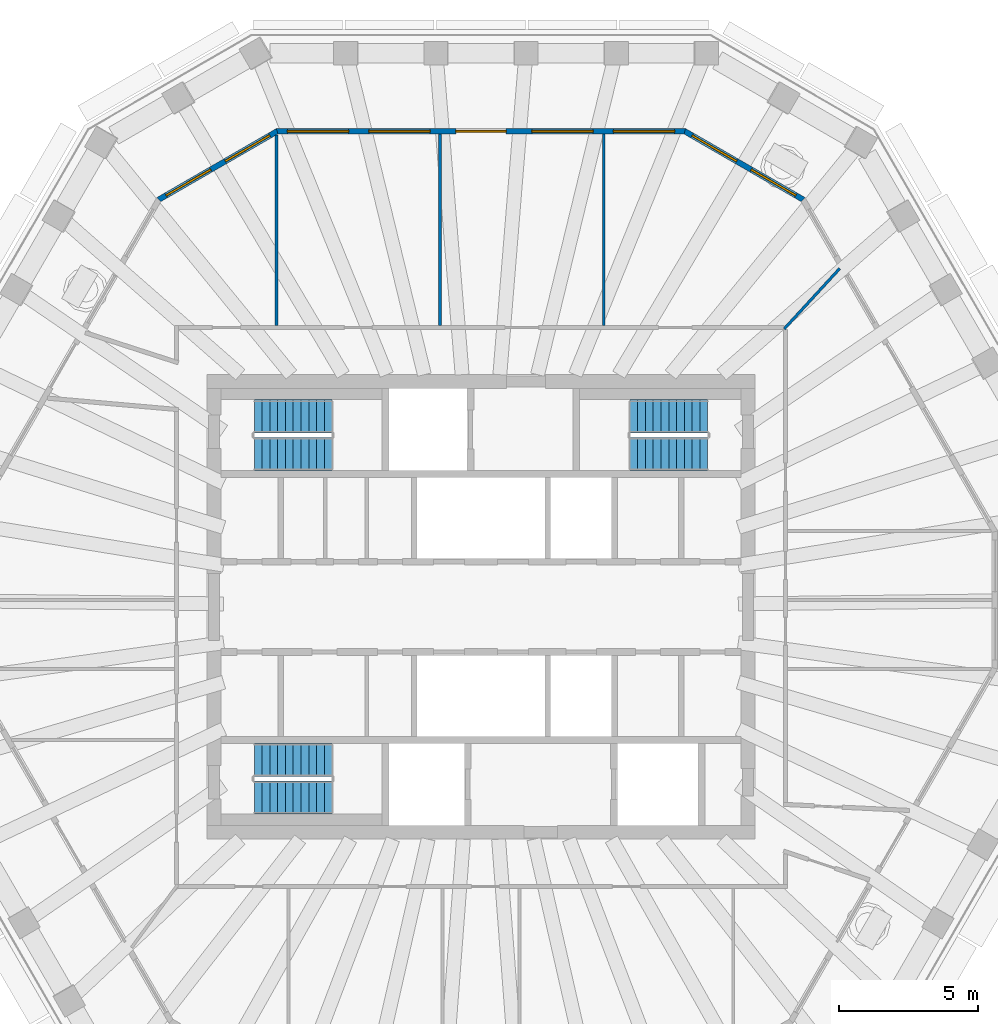
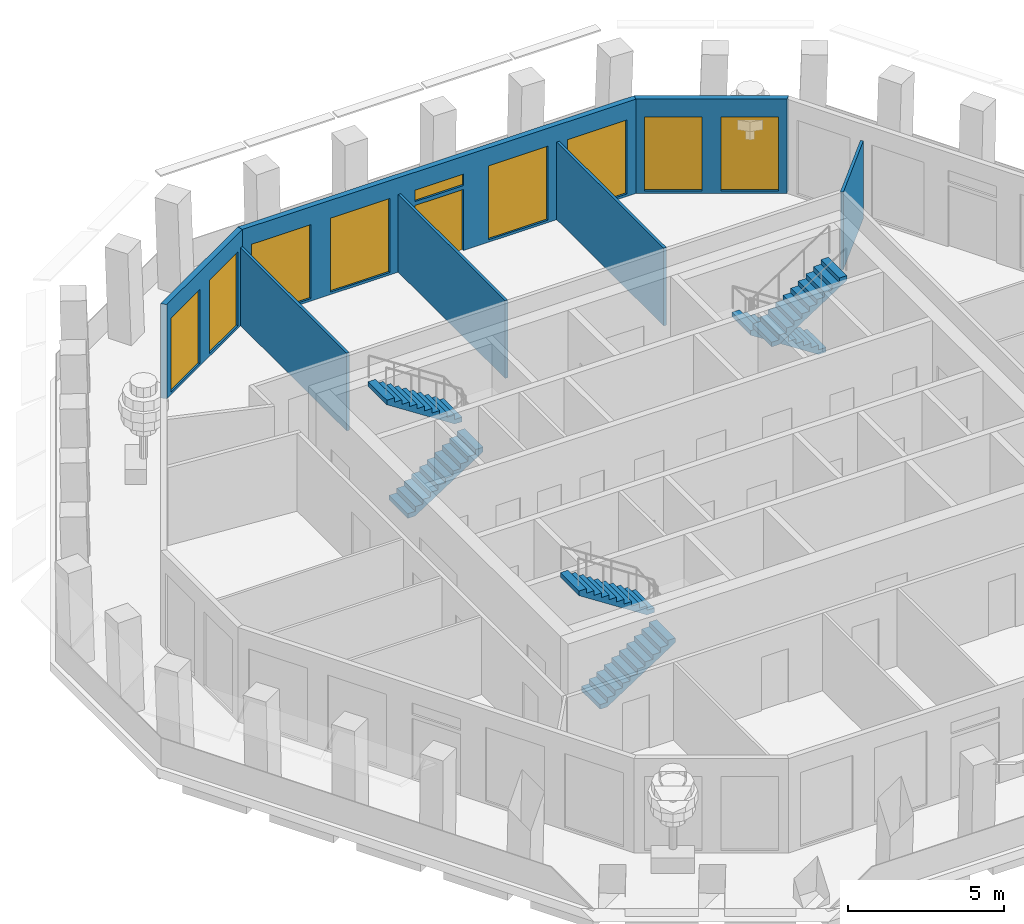
# One storey, part 7 of 11: 9 windows, 7 walls, 6 stair flights, 1 door, 10 openings, 3 elements without a shape of their own.
"""IFC4 building model written with IfcOpenShell, lengths in metres."""

from ifc_helpers import new_model, si_unit, direction, frame, frame_2d, origin, place, context, subcontext, project, spatial, polyline, rectangle, outline, extrude, material, layer, layer_set, type_object, element, fill, aggregate, save


model = new_model("IFC4")

# Units and contexts
model_context = context("Model", 3, precision=1e-05, world=origin(), true_north=direction((0.0, 1.0)))
body_context = subcontext(model_context, "Body", "Model", "MODEL_VIEW")
ifc_project = project(units=[si_unit("LENGTHUNIT", "METRE"), si_unit("AREAUNIT", "SQUARE_METRE"), si_unit("VOLUMEUNIT", "CUBIC_METRE"), si_unit("PLANEANGLEUNIT", "RADIAN"), si_unit("MASSUNIT", "GRAM", prefix="KILO")], contexts=[model_context])

# Site, building, storey
site_placement = place(None, origin())
site = spatial("IfcSite", under=ifc_project, at=site_placement, CompositionType="ELEMENT")
building_placement = place(site_placement, origin())
building = spatial("IfcBuilding", under=site, at=building_placement, Name="Frailejon Research Tower", CompositionType="ELEMENT")
storey_placement = place(building_placement, frame((0.0, 0.0, 316.60009765625)))
storey = spatial("IfcBuildingStorey", under=building, at=storey_placement, Name="L70", CompositionType="ELEMENT", Elevation=316.60009765625)

# Walls
ifc_material_1 = material(Name="Gypsum board and masonry partition", Category="masonry")
ifc_layer_1 = layer(ifc_material_1, 0.10009765625)
ifc_layer_set_1 = layer_set([ifc_layer_1], Name="Partition, gypsum on steel studs 100")
wall_type_1 = type_object("IfcWallType", Name="Partition, gypsum on steel studs 100", PredefinedType="PARTITIONING", material=ifc_layer_set_1)
wall_1_placement = place(storey_placement, frame((10.899169921875, 9.994873046875, 0.0), z_axis=(0.0, 0.0, 1.0), x_axis=(0.676859298263, 0.736112416927, 0.0)))
element("IfcWall", 1, at=wall_1_placement, inside=storey, type_object=wall_type_1, Name="T:IW:L70:014", PredefinedType="PARTITIONING", context=body_context, shape_type="SweptSolid", body=[
    extrude(rectangle(XDim=2.9501953125, YDim=0.10009765625, at=frame_2d((1.47509765625, 0.0))), origin(), (0.0, 0.0, 1.0), 3.0498046875),
])
for number, where, z_axis, x_axis, name in (
    (2, (4.412353515625, 10.125, 0.0), (0.0, 0.0, 1.0), (0.0, 1.0, 0.0), "T:IW:L70:015"),
    (3, (-1.470703125, 10.125, 0.0), (0.0, 0.0, 1.0), (0.0, 1.0, 0.0), "T:IW:L70:016"),
):
    element("IfcWall", number, at=place(storey_placement, frame(where, z_axis=z_axis, x_axis=x_axis)), inside=storey, type_object=wall_type_1, Name=name, PredefinedType="PARTITIONING", context=body_context, shape_type="SweptSolid", body=[
        extrude(rectangle(XDim=6.875, YDim=0.10009765625, at=frame_2d((3.4375, 0.0))), origin(), (0.0, 0.0, 1.0), 3.0498046875),
    ])
wall_2_placement = place(storey_placement, frame((-7.35400390625, 10.125, 0.0), z_axis=(0.0, 0.0, 1.0), x_axis=(0.0, 1.0, 0.0)))
element("IfcWall", 4, at=wall_2_placement, inside=storey, type_object=wall_type_1, Name="T:IW:L70:017", PredefinedType="PARTITIONING", context=body_context, shape_type="SweptSolid", body=[
    extrude(rectangle(XDim=6.843994140625, YDim=0.10009765625, at=frame_2d((3.421875, 0.0))), origin(), (0.0, 0.0, 1.0), 3.0498046875),
])

# Wall, openings, windows
ifc_material_2 = material(Name="Concrete C40/50 precast window wall panel", Category="concrete")
ifc_layer_2 = layer(ifc_material_2, 0.199951171875)
ifc_layer_set_2 = layer_set([ifc_layer_2], Name="Window wall 200")
wall_type_2 = type_object("IfcWallType", Name="Window wall 200", PredefinedType="SOLIDWALL", material=ifc_layer_set_2)
wall_3_placement = place(storey_placement, frame((11.580810546875, 14.644287109375, 0.0), z_axis=(0.0, 0.0, 1.0), x_axis=(-0.86601671623, 0.500015046984, 0.0)))
wall_3 = element("IfcWall", 5, at=wall_3_placement, inside=storey, type_object=wall_type_2, Name="Exterior wall L70", PredefinedType="SOLIDWALL", context=body_context, shape_type="SweptSolid", body=[
    extrude(outline(polyline([(-0.02685546875, -0.10009765625), (1.21435546875, -0.10009765625), (2.45556640625, -0.10009765625), (3.697021484375, -0.10009765625), (4.938232421875, -0.10009765625), (4.884521484375, 0.10009765625), (3.670166015625, 0.10009765625), (2.45556640625, 0.10009765625), (1.2412109375, 0.10009765625), (0.02685546875, 0.10009765625), (-0.02685546875, -0.10009765625)])), origin(), (0.0, 0.0, 1.0), 3.699951171875),
])
opening_1_placement = place(wall_3_placement, frame((0.302978515625, 0.0, 0.10009765625)))
opening_1 = element("IfcOpeningElement", 6, at=opening_1_placement, cuts=wall_3, Name="Opening W26", PredefinedType="OPENING", context=body_context, shape_type="SweptSolid", body=[
    extrude(rectangle(XDim=1.85009765625, YDim=2.89990234375, at=frame_2d((0.925048828125, 1.449951171875))), frame((0.0, 0.10986328125, 0.0), z_axis=(0.0, -1.0, 0.0), x_axis=(1.0, 0.0, 0.0)), (0.0, 0.0, 1.0), 0.219970703125),
])
opening_2_placement = place(wall_3_placement, frame((2.7587890625, 0.0, 0.10009765625)))
opening_2 = element("IfcOpeningElement", 7, at=opening_2_placement, cuts=wall_3, Name="Opening W26", PredefinedType="OPENING", context=body_context, shape_type="SweptSolid", body=[
    extrude(rectangle(XDim=1.85009765625, YDim=2.89990234375, at=frame_2d((0.925048828125, 1.449951171875))), frame((0.0, 0.10986328125, 0.0), z_axis=(0.0, -1.0, 0.0), x_axis=(1.0, 0.0, 0.0)), (0.0, 0.0, 1.0), 0.219970703125),
])
ifc_material_3 = material(Name="Aluminium framed double glazing", Category="aluminium")
window_type_1 = type_object("IfcWindowType", Name="Window 1850x2900", PartitioningType="SINGLE_PANEL", PredefinedType="WINDOW", material=ifc_material_3)
window_1_placement = place(opening_1_placement, origin())
window_1 = element("IfcWindow", 8, at=window_1_placement, inside=storey, type_object=window_type_1, Name="Window L70", OverallHeight=2.89990234375, OverallWidth=1.85009765625, PartitioningType="SINGLE_PANEL", PredefinedType="WINDOW", context=body_context, shape_type="SweptSolid", body=[
    extrude(rectangle(XDim=1.85009765625, YDim=2.89990234375, at=frame_2d((0.925048828125, 1.449951171875))), frame((0.0, 0.030029296875, 0.0), z_axis=(0.0, -1.0, 0.0), x_axis=(1.0, 0.0, 0.0)), (0.0, 0.0, 1.0), 0.06005859375),
])
fill(opening_1, window_1)
window_2_placement = place(opening_2_placement, origin())
window_2 = element("IfcWindow", 9, at=window_2_placement, inside=storey, type_object=window_type_1, Name="Window L70", OverallHeight=2.89990234375, OverallWidth=1.85009765625, PartitioningType="SINGLE_PANEL", PredefinedType="WINDOW", context=body_context, shape_type="SweptSolid", body=[
    extrude(rectangle(XDim=1.85009765625, YDim=2.89990234375, at=frame_2d((0.925048828125, 1.449951171875))), frame((0.0, 0.030029296875, 0.0), z_axis=(0.0, -1.0, 0.0), x_axis=(1.0, 0.0, 0.0)), (0.0, 0.0, 1.0), 0.06005859375),
])
fill(opening_2, window_2)

# Wall, openings, door, windows
wall_4_placement = place(storey_placement, frame((7.327392578125, 17.10009765625, 0.0), z_axis=(0.0, 0.0, 1.0), x_axis=(-1.0, 0.0, 0.0)))
wall_4 = element("IfcWall", 10, at=wall_4_placement, inside=storey, type_object=wall_type_2, Name="Exterior wall L70", PredefinedType="SOLIDWALL", context=body_context, shape_type="SweptSolid", body=[
    extrude(outline(polyline([(-0.02685546875, -0.10009765625), (1.023681640625, -0.10009765625), (2.074462890625, -0.10009765625), (3.125, -0.10009765625), (4.175537109375, -0.10009765625), (5.22607421875, -0.10009765625), (6.27685546875, -0.10009765625), (7.327392578125, -0.10009765625), (8.3779296875, -0.10009765625), (9.4287109375, -0.10009765625), (10.479248046875, -0.10009765625), (11.52978515625, -0.10009765625), (12.580322265625, -0.10009765625), (13.631103515625, -0.10009765625), (14.681640625, -0.10009765625), (14.6279296875, 0.10009765625), (13.5849609375, 0.10009765625), (12.5419921875, 0.10009765625), (11.4990234375, 0.10009765625), (10.456298828125, 0.10009765625), (9.413330078125, 0.10009765625), (8.370361328125, 0.10009765625), (7.327392578125, 0.10009765625), (6.284423828125, 0.10009765625), (5.241455078125, 0.10009765625), (4.198486328125, 0.10009765625), (3.15576171875, 0.10009765625), (2.11279296875, 0.10009765625), (1.06982421875, 0.10009765625), (0.02685546875, 0.10009765625), (-0.02685546875, -0.10009765625)])), origin(), (0.0, 0.0, 1.0), 3.699951171875),
])
opening_3_placement = place(wall_4_placement, frame((0.365478515625, 0.0, 0.10009765625)))
opening_3 = element("IfcOpeningElement", 11, at=opening_3_placement, cuts=wall_4, Name="Opening W28", PredefinedType="OPENING", context=body_context, shape_type="SweptSolid", body=[
    extrude(rectangle(XDim=2.199951171875, YDim=2.89990234375, at=frame_2d((1.10009765625, 1.449951171875))), frame((0.0, 0.10986328125, 0.0), z_axis=(0.0, -1.0, 0.0), x_axis=(1.0, 0.0, 0.0)), (0.0, 0.0, 1.0), 0.219970703125),
])
opening_4_placement = place(wall_4_placement, frame((3.29638671875, 0.0, 0.10009765625)))
opening_4 = element("IfcOpeningElement", 12, at=opening_4_placement, cuts=wall_4, Name="Opening W28", PredefinedType="OPENING", context=body_context, shape_type="SweptSolid", body=[
    extrude(rectangle(XDim=2.199951171875, YDim=2.89990234375, at=frame_2d((1.10009765625, 1.449951171875))), frame((0.0, 0.10986328125, 0.0), z_axis=(0.0, -1.0, 0.0), x_axis=(1.0, 0.0, 0.0)), (0.0, 0.0, 1.0), 0.219970703125),
])
opening_5_placement = place(wall_4_placement, frame((6.42724609375, 0.0, 0.0)))
opening_5 = element("IfcOpeningElement", 13, at=opening_5_placement, cuts=wall_4, Name="Opening LG70-2", PredefinedType="OPENING", context=body_context, shape_type="SweptSolid", body=[
    extrude(rectangle(XDim=1.800048828125, YDim=2.39990234375, at=frame_2d((0.89990234375, 1.199951171875))), frame((0.0, 0.10986328125, 0.0), z_axis=(0.0, -1.0, 0.0), x_axis=(1.0, 0.0, 0.0)), (0.0, 0.0, 1.0), 0.219970703125),
])
opening_6_placement = place(wall_4_placement, frame((6.42724609375, 0.0, 2.550048828125)))
opening_6 = element("IfcOpeningElement", 14, at=opening_6_placement, cuts=wall_4, Name="Opening W1", PredefinedType="OPENING", context=body_context, shape_type="SweptSolid", body=[
    extrude(rectangle(XDim=1.800048828125, YDim=0.449951171875, at=frame_2d((0.89990234375, 0.22509765625))), frame((0.0, 0.10986328125, 0.0), z_axis=(0.0, -1.0, 0.0), x_axis=(1.0, 0.0, 0.0)), (0.0, 0.0, 1.0), 0.219970703125),
])
opening_7_placement = place(wall_4_placement, frame((9.158203125, 0.0, 0.10009765625)))
opening_7 = element("IfcOpeningElement", 15, at=opening_7_placement, cuts=wall_4, Name="Opening W28", PredefinedType="OPENING", context=body_context, shape_type="SweptSolid", body=[
    extrude(rectangle(XDim=2.199951171875, YDim=2.89990234375, at=frame_2d((1.10009765625, 1.449951171875))), frame((0.0, 0.10986328125, 0.0), z_axis=(0.0, -1.0, 0.0), x_axis=(1.0, 0.0, 0.0)), (0.0, 0.0, 1.0), 0.219970703125),
])
opening_8_placement = place(wall_4_placement, frame((12.089111328125, 0.0, 0.10009765625)))
opening_8 = element("IfcOpeningElement", 16, at=opening_8_placement, cuts=wall_4, Name="Opening W28", PredefinedType="OPENING", context=body_context, shape_type="SweptSolid", body=[
    extrude(rectangle(XDim=2.199951171875, YDim=2.89990234375, at=frame_2d((1.10009765625, 1.449951171875))), frame((0.0, 0.10986328125, 0.0), z_axis=(0.0, -1.0, 0.0), x_axis=(1.0, 0.0, 0.0)), (0.0, 0.0, 1.0), 0.219970703125),
])
ifc_material_4 = material(Name="Aluminium framed glazed door leaf", Category="aluminium")
door_type = type_object("IfcDoorType", Name="Loggia door 1800x2400", OperationType="DOUBLE_DOOR_SINGLE_SWING", PredefinedType="DOOR", material=ifc_material_4)
door_placement = place(opening_5_placement, origin())
door = element("IfcDoor", 17, at=door_placement, inside=storey, type_object=door_type, Name="Door LG70-2", OperationType="DOUBLE_DOOR_SINGLE_SWING", OverallHeight=2.39990234375, OverallWidth=1.800048828125, PredefinedType="DOOR", context=body_context, shape_type="SweptSolid", body=[
    extrude(rectangle(XDim=1.800048828125, YDim=2.39990234375, at=frame_2d((0.89990234375, 1.199951171875))), frame((0.0, 0.02490234375, 0.0), z_axis=(0.0, -1.0, 0.0), x_axis=(1.0, 0.0, 0.0)), (0.0, 0.0, 1.0), 0.050048828125),
])
fill(opening_5, door)
ifc_material_5 = material(Name="Aluminium framed double glazing", Category="aluminium")
window_type_2 = type_object("IfcWindowType", Name="Window 1800x450", PartitioningType="SINGLE_PANEL", PredefinedType="WINDOW", material=ifc_material_5)
window_3_placement = place(opening_6_placement, origin())
window_3 = element("IfcWindow", 18, at=window_3_placement, inside=storey, type_object=window_type_2, Name="Window L70", OverallHeight=0.449951171875, OverallWidth=1.800048828125, PartitioningType="SINGLE_PANEL", PredefinedType="WINDOW", context=body_context, shape_type="SweptSolid", body=[
    extrude(rectangle(XDim=1.800048828125, YDim=0.449951171875, at=frame_2d((0.89990234375, 0.22509765625))), frame((0.0, 0.030029296875, 0.0), z_axis=(0.0, -1.0, 0.0), x_axis=(1.0, 0.0, 0.0)), (0.0, 0.0, 1.0), 0.06005859375),
])
fill(opening_6, window_3)
ifc_material_6 = material(Name="Aluminium framed double glazing", Category="aluminium")
window_type_3 = type_object("IfcWindowType", Name="Window 2200x2900", PartitioningType="SINGLE_PANEL", PredefinedType="WINDOW", material=ifc_material_6)
window_4_placement = place(opening_3_placement, origin())
window_4 = element("IfcWindow", 19, at=window_4_placement, inside=storey, type_object=window_type_3, Name="Window L70", OverallHeight=2.89990234375, OverallWidth=2.199951171875, PartitioningType="SINGLE_PANEL", PredefinedType="WINDOW", context=body_context, shape_type="SweptSolid", body=[
    extrude(rectangle(XDim=2.199951171875, YDim=2.89990234375, at=frame_2d((1.10009765625, 1.449951171875))), frame((0.0, 0.030029296875, 0.0), z_axis=(0.0, -1.0, 0.0), x_axis=(1.0, 0.0, 0.0)), (0.0, 0.0, 1.0), 0.06005859375),
])
fill(opening_3, window_4)
window_5_placement = place(opening_4_placement, origin())
window_5 = element("IfcWindow", 20, at=window_5_placement, inside=storey, type_object=window_type_3, Name="Window L70", OverallHeight=2.89990234375, OverallWidth=2.199951171875, PartitioningType="SINGLE_PANEL", PredefinedType="WINDOW", context=body_context, shape_type="SweptSolid", body=[
    extrude(rectangle(XDim=2.199951171875, YDim=2.89990234375, at=frame_2d((1.10009765625, 1.449951171875))), frame((0.0, 0.030029296875, 0.0), z_axis=(0.0, -1.0, 0.0), x_axis=(1.0, 0.0, 0.0)), (0.0, 0.0, 1.0), 0.06005859375),
])
fill(opening_4, window_5)
window_6_placement = place(opening_7_placement, origin())
window_6 = element("IfcWindow", 21, at=window_6_placement, inside=storey, type_object=window_type_3, Name="Window L70", OverallHeight=2.89990234375, OverallWidth=2.199951171875, PartitioningType="SINGLE_PANEL", PredefinedType="WINDOW", context=body_context, shape_type="SweptSolid", body=[
    extrude(rectangle(XDim=2.199951171875, YDim=2.89990234375, at=frame_2d((1.10009765625, 1.449951171875))), frame((0.0, 0.030029296875, 0.0), z_axis=(0.0, -1.0, 0.0), x_axis=(1.0, 0.0, 0.0)), (0.0, 0.0, 1.0), 0.06005859375),
])
fill(opening_7, window_6)
window_7_placement = place(opening_8_placement, origin())
window_7 = element("IfcWindow", 22, at=window_7_placement, inside=storey, type_object=window_type_3, Name="Window L70", OverallHeight=2.89990234375, OverallWidth=2.199951171875, PartitioningType="SINGLE_PANEL", PredefinedType="WINDOW", context=body_context, shape_type="SweptSolid", body=[
    extrude(rectangle(XDim=2.199951171875, YDim=2.89990234375, at=frame_2d((1.10009765625, 1.449951171875))), frame((0.0, 0.030029296875, 0.0), z_axis=(0.0, -1.0, 0.0), x_axis=(1.0, 0.0, 0.0)), (0.0, 0.0, 1.0), 0.06005859375),
])
fill(opening_8, window_7)

# Wall, openings, windows
wall_5_placement = place(storey_placement, frame((-7.327392578125, 17.10009765625, 0.0), z_axis=(0.0, 0.0, 1.0), x_axis=(-0.86601671623, -0.500015046984, 0.0)))
wall_5 = element("IfcWall", 23, at=wall_5_placement, inside=storey, type_object=wall_type_2, Name="Exterior wall L70", PredefinedType="SOLIDWALL", context=body_context, shape_type="SweptSolid", body=[
    extrude(outline(polyline([(-0.02685546875, -0.10009765625), (1.21435546875, -0.10009765625), (2.45556640625, -0.10009765625), (3.697021484375, -0.10009765625), (4.938232421875, -0.10009765625), (4.884521484375, 0.10009765625), (3.670166015625, 0.10009765625), (2.45556640625, 0.10009765625), (1.2412109375, 0.10009765625), (0.02685546875, 0.10009765625), (-0.02685546875, -0.10009765625)])), origin(), (0.0, 0.0, 1.0), 3.699951171875),
])
opening_9_placement = place(wall_5_placement, frame((0.302978515625, 0.0, 0.10009765625)))
opening_9 = element("IfcOpeningElement", 24, at=opening_9_placement, cuts=wall_5, Name="Opening W26", PredefinedType="OPENING", context=body_context, shape_type="SweptSolid", body=[
    extrude(rectangle(XDim=1.85009765625, YDim=2.89990234375, at=frame_2d((0.925048828125, 1.449951171875))), frame((0.0, 0.10986328125, 0.0), z_axis=(0.0, -1.0, 0.0), x_axis=(1.0, 0.0, 0.0)), (0.0, 0.0, 1.0), 0.219970703125),
])
opening_10_placement = place(wall_5_placement, frame((2.7587890625, 0.0, 0.10009765625)))
opening_10 = element("IfcOpeningElement", 25, at=opening_10_placement, cuts=wall_5, Name="Opening W26", PredefinedType="OPENING", context=body_context, shape_type="SweptSolid", body=[
    extrude(rectangle(XDim=1.85009765625, YDim=2.89990234375, at=frame_2d((0.925048828125, 1.449951171875))), frame((0.0, 0.10986328125, 0.0), z_axis=(0.0, -1.0, 0.0), x_axis=(1.0, 0.0, 0.0)), (0.0, 0.0, 1.0), 0.219970703125),
])
window_8_placement = place(opening_9_placement, origin())
window_8 = element("IfcWindow", 26, at=window_8_placement, inside=storey, type_object=window_type_1, Name="Window L70", OverallHeight=2.89990234375, OverallWidth=1.85009765625, PartitioningType="SINGLE_PANEL", PredefinedType="WINDOW", context=body_context, shape_type="SweptSolid", body=[
    extrude(rectangle(XDim=1.85009765625, YDim=2.89990234375, at=frame_2d((0.925048828125, 1.449951171875))), frame((0.0, 0.030029296875, 0.0), z_axis=(0.0, -1.0, 0.0), x_axis=(1.0, 0.0, 0.0)), (0.0, 0.0, 1.0), 0.06005859375),
])
fill(opening_9, window_8)
window_9_placement = place(opening_10_placement, origin())
window_9 = element("IfcWindow", 27, at=window_9_placement, inside=storey, type_object=window_type_1, Name="Window L70", OverallHeight=2.89990234375, OverallWidth=1.85009765625, PartitioningType="SINGLE_PANEL", PredefinedType="WINDOW", context=body_context, shape_type="SweptSolid", body=[
    extrude(rectangle(XDim=1.85009765625, YDim=2.89990234375, at=frame_2d((0.925048828125, 1.449951171875))), frame((0.0, 0.030029296875, 0.0), z_axis=(0.0, -1.0, 0.0), x_axis=(1.0, 0.0, 0.0)), (0.0, 0.0, 1.0), 0.06005859375),
])
fill(opening_10, window_9)

# Stair, stair flights
ifc_material_7 = material(Name="Concrete C50/60", Category="concrete")
stair_type = type_object("IfcStairType", Name="Exit stair 22 risers", PredefinedType="HALF_TURN_STAIR", material=ifc_material_7)
stair_1_placement = place(storey_placement, origin())
stair_1 = element("IfcStair", 28, at=stair_1_placement, inside=storey, type_object=stair_type, Name="L70 Exit stair ST1", PredefinedType="HALF_TURN_STAIR")
ifc_material_8 = material(Name="Concrete C50/60", Category="concrete")
ifc_layer_3 = layer(ifc_material_8, 0.14990234375)
ifc_layer_set_3 = layer_set([ifc_layer_3], Name="Stair flight 11 risers")
stair_flight_type = type_object("IfcStairFlightType", Name="Stair flight 11 risers", PredefinedType="STRAIGHT", material=ifc_layer_set_3)
stair_flight_1_placement = place(storey_placement, frame((-8.14990234375, 5.5, 0.0), z_axis=(0.0, 0.0, 1.0), x_axis=(1.0, 0.0, 0.0)))
stair_flight_1 = element("IfcStairFlight", 29, at=stair_flight_1_placement, type_object=stair_flight_type, Name="ST1 flight 1", NumberOfRisers=11, NumberOfTreads=10, PredefinedType="STRAIGHT", RiserHeight=0.181818182, TreadLength=0.28, context=body_context, shape_type="SweptSolid", body=[
    extrude(outline(polyline([(0.0, 0.0), (0.0, 0.181884765625), (0.280029296875, 0.181884765625), (0.280029296875, 0.363525390625), (0.56005859375, 0.363525390625), (0.56005859375, 0.54541015625), (0.840087890625, 0.54541015625), (0.840087890625, 0.727294921875), (1.1201171875, 0.727294921875), (1.1201171875, 0.9091796875), (1.39990234375, 0.9091796875), (1.39990234375, 1.0908203125), (1.679931640625, 1.0908203125), (1.679931640625, 1.272705078125), (1.9599609375, 1.272705078125), (1.9599609375, 1.45458984375), (2.239990234375, 1.45458984375), (2.239990234375, 1.636474609375), (2.52001953125, 1.636474609375), (2.52001953125, 1.818115234375), (2.800048828125, 1.818115234375), (2.800048828125, 2.0), (2.800048828125, 1.639404296875), (0.275146484375, 0.0), (0.0, 0.0)])), frame((0.0, 0.60009765625, 0.0), z_axis=(0.0, -1.0, 0.0), x_axis=(1.0, 0.0, 0.0)), (0.0, 0.0, 1.0), 1.199951171875),
])
stair_flight_2_placement = place(storey_placement, frame((-5.35009765625, 6.85009765625, 2.0), z_axis=(0.0, 0.0, 1.0), x_axis=(-1.0, 0.0, 0.0)))
stair_flight_2 = element("IfcStairFlight", 30, at=stair_flight_2_placement, type_object=stair_flight_type, Name="ST1 flight 2", NumberOfRisers=11, NumberOfTreads=10, PredefinedType="STRAIGHT", RiserHeight=0.181818182, TreadLength=0.28, context=body_context, shape_type="SweptSolid", body=[
    extrude(outline(polyline([(0.0, 0.0), (0.0, 0.181884765625), (0.280029296875, 0.181884765625), (0.280029296875, 0.363525390625), (0.56005859375, 0.363525390625), (0.56005859375, 0.54541015625), (0.840087890625, 0.54541015625), (0.840087890625, 0.727294921875), (1.1201171875, 0.727294921875), (1.1201171875, 0.9091796875), (1.39990234375, 0.9091796875), (1.39990234375, 1.0908203125), (1.679931640625, 1.0908203125), (1.679931640625, 1.272705078125), (1.9599609375, 1.272705078125), (1.9599609375, 1.45458984375), (2.239990234375, 1.45458984375), (2.239990234375, 1.636474609375), (2.52001953125, 1.636474609375), (2.52001953125, 1.818115234375), (2.800048828125, 1.818115234375), (2.800048828125, 2.0), (2.800048828125, 1.639404296875), (0.275146484375, 0.0), (0.0, 0.0)])), frame((0.0, 0.60009765625, 0.0), z_axis=(0.0, -1.0, 0.0), x_axis=(1.0, 0.0, 0.0)), (0.0, 0.0, 1.0), 1.199951171875),
])
aggregate(stair_1, [stair_flight_1, stair_flight_2])

stair_2_placement = place(storey_placement, origin())
stair_2 = element("IfcStair", 31, at=stair_2_placement, inside=storey, type_object=stair_type, Name="L70 Exit stair ST2", PredefinedType="HALF_TURN_STAIR")
stair_flight_3_placement = place(storey_placement, frame((-8.14990234375, -6.85009765625, 0.0), z_axis=(0.0, 0.0, 1.0), x_axis=(1.0, 0.0, 0.0)))
stair_flight_3 = element("IfcStairFlight", 32, at=stair_flight_3_placement, type_object=stair_flight_type, Name="ST2 flight 1", NumberOfRisers=11, NumberOfTreads=10, PredefinedType="STRAIGHT", RiserHeight=0.181818182, TreadLength=0.28, context=body_context, shape_type="SweptSolid", body=[
    extrude(outline(polyline([(0.0, 0.0), (0.0, 0.181884765625), (0.280029296875, 0.181884765625), (0.280029296875, 0.363525390625), (0.56005859375, 0.363525390625), (0.56005859375, 0.54541015625), (0.840087890625, 0.54541015625), (0.840087890625, 0.727294921875), (1.1201171875, 0.727294921875), (1.1201171875, 0.9091796875), (1.39990234375, 0.9091796875), (1.39990234375, 1.0908203125), (1.679931640625, 1.0908203125), (1.679931640625, 1.272705078125), (1.9599609375, 1.272705078125), (1.9599609375, 1.45458984375), (2.239990234375, 1.45458984375), (2.239990234375, 1.636474609375), (2.52001953125, 1.636474609375), (2.52001953125, 1.818115234375), (2.800048828125, 1.818115234375), (2.800048828125, 2.0), (2.800048828125, 1.639404296875), (0.275146484375, 0.0), (0.0, 0.0)])), frame((0.0, 0.60009765625, 0.0), z_axis=(0.0, -1.0, 0.0), x_axis=(1.0, 0.0, 0.0)), (0.0, 0.0, 1.0), 1.199951171875),
])
stair_flight_4_placement = place(storey_placement, frame((-5.35009765625, -5.5, 2.0), z_axis=(0.0, 0.0, 1.0), x_axis=(-1.0, 0.0, 0.0)))
stair_flight_4 = element("IfcStairFlight", 33, at=stair_flight_4_placement, type_object=stair_flight_type, Name="ST2 flight 2", NumberOfRisers=11, NumberOfTreads=10, PredefinedType="STRAIGHT", RiserHeight=0.181818182, TreadLength=0.28, context=body_context, shape_type="SweptSolid", body=[
    extrude(outline(polyline([(0.0, 0.0), (0.0, 0.181884765625), (0.280029296875, 0.181884765625), (0.280029296875, 0.363525390625), (0.56005859375, 0.363525390625), (0.56005859375, 0.54541015625), (0.840087890625, 0.54541015625), (0.840087890625, 0.727294921875), (1.1201171875, 0.727294921875), (1.1201171875, 0.9091796875), (1.39990234375, 0.9091796875), (1.39990234375, 1.0908203125), (1.679931640625, 1.0908203125), (1.679931640625, 1.272705078125), (1.9599609375, 1.272705078125), (1.9599609375, 1.45458984375), (2.239990234375, 1.45458984375), (2.239990234375, 1.636474609375), (2.52001953125, 1.636474609375), (2.52001953125, 1.818115234375), (2.800048828125, 1.818115234375), (2.800048828125, 2.0), (2.800048828125, 1.639404296875), (0.275146484375, 0.0), (0.0, 0.0)])), frame((0.0, 0.60009765625, 0.0), z_axis=(0.0, -1.0, 0.0), x_axis=(1.0, 0.0, 0.0)), (0.0, 0.0, 1.0), 1.199951171875),
])
aggregate(stair_2, [stair_flight_3, stair_flight_4])

stair_3_placement = place(storey_placement, origin())
stair_3 = element("IfcStair", 34, at=stair_3_placement, inside=storey, type_object=stair_type, Name="L70 Exit stair ST3", PredefinedType="HALF_TURN_STAIR")
stair_flight_5_placement = place(storey_placement, frame((8.14990234375, 6.85009765625, 0.0), z_axis=(0.0, 0.0, 1.0), x_axis=(-1.0, 0.0, 0.0)))
stair_flight_5 = element("IfcStairFlight", 35, at=stair_flight_5_placement, type_object=stair_flight_type, Name="ST3 flight 1", NumberOfRisers=11, NumberOfTreads=10, PredefinedType="STRAIGHT", RiserHeight=0.181818182, TreadLength=0.28, context=body_context, shape_type="SweptSolid", body=[
    extrude(outline(polyline([(0.0, 0.0), (0.0, 0.181884765625), (0.280029296875, 0.181884765625), (0.280029296875, 0.363525390625), (0.56005859375, 0.363525390625), (0.56005859375, 0.54541015625), (0.840087890625, 0.54541015625), (0.840087890625, 0.727294921875), (1.1201171875, 0.727294921875), (1.1201171875, 0.9091796875), (1.39990234375, 0.9091796875), (1.39990234375, 1.0908203125), (1.679931640625, 1.0908203125), (1.679931640625, 1.272705078125), (1.9599609375, 1.272705078125), (1.9599609375, 1.45458984375), (2.239990234375, 1.45458984375), (2.239990234375, 1.636474609375), (2.52001953125, 1.636474609375), (2.52001953125, 1.818115234375), (2.800048828125, 1.818115234375), (2.800048828125, 2.0), (2.800048828125, 1.639404296875), (0.275146484375, 0.0), (0.0, 0.0)])), frame((0.0, 0.60009765625, 0.0), z_axis=(0.0, -1.0, 0.0), x_axis=(1.0, 0.0, 0.0)), (0.0, 0.0, 1.0), 1.199951171875),
])
stair_flight_6_placement = place(storey_placement, frame((5.35009765625, 5.5, 2.0), z_axis=(0.0, 0.0, 1.0), x_axis=(1.0, 0.0, 0.0)))
stair_flight_6 = element("IfcStairFlight", 36, at=stair_flight_6_placement, type_object=stair_flight_type, Name="ST3 flight 2", NumberOfRisers=11, NumberOfTreads=10, PredefinedType="STRAIGHT", RiserHeight=0.181818182, TreadLength=0.28, context=body_context, shape_type="SweptSolid", body=[
    extrude(outline(polyline([(0.0, 0.0), (0.0, 0.181884765625), (0.280029296875, 0.181884765625), (0.280029296875, 0.363525390625), (0.56005859375, 0.363525390625), (0.56005859375, 0.54541015625), (0.840087890625, 0.54541015625), (0.840087890625, 0.727294921875), (1.1201171875, 0.727294921875), (1.1201171875, 0.9091796875), (1.39990234375, 0.9091796875), (1.39990234375, 1.0908203125), (1.679931640625, 1.0908203125), (1.679931640625, 1.272705078125), (1.9599609375, 1.272705078125), (1.9599609375, 1.45458984375), (2.239990234375, 1.45458984375), (2.239990234375, 1.636474609375), (2.52001953125, 1.636474609375), (2.52001953125, 1.818115234375), (2.800048828125, 1.818115234375), (2.800048828125, 2.0), (2.800048828125, 1.639404296875), (0.275146484375, 0.0), (0.0, 0.0)])), frame((0.0, 0.60009765625, 0.0), z_axis=(0.0, -1.0, 0.0), x_axis=(1.0, 0.0, 0.0)), (0.0, 0.0, 1.0), 1.199951171875),
])
aggregate(stair_3, [stair_flight_5, stair_flight_6])

save(model, "model.ifc")
